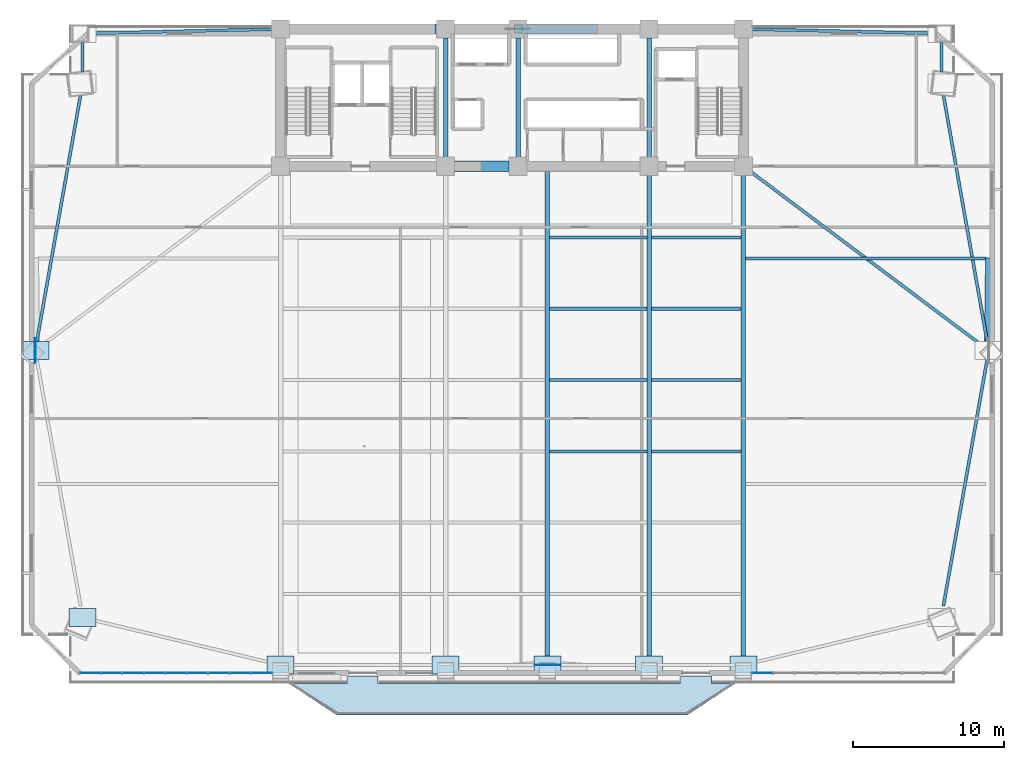
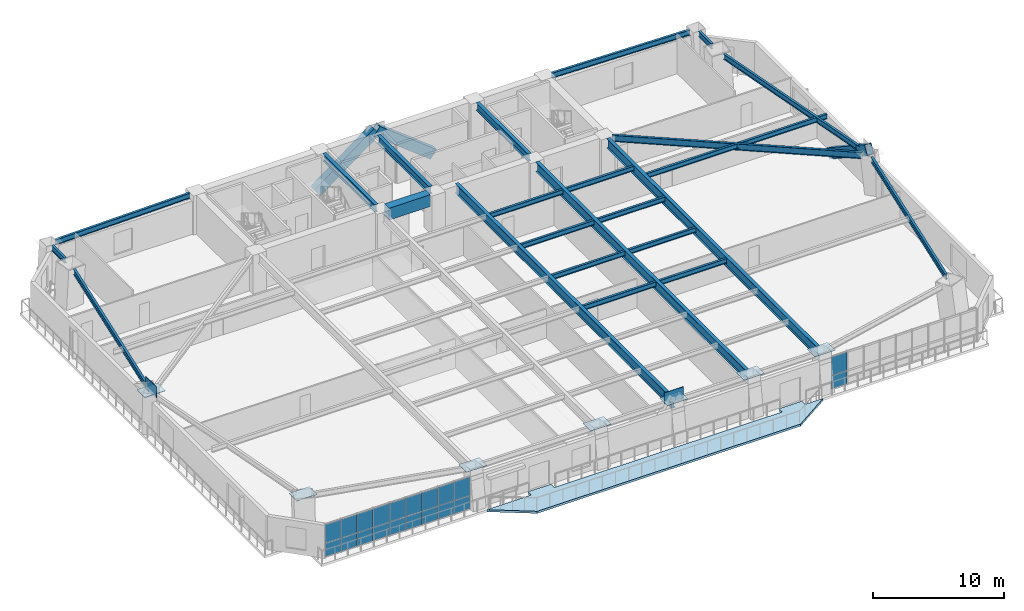
# One storey, part 7 of 17: 29 plates, 24 beams, 3 members, 1 slab, 2 elements without a shape of their own.
"""IFC4 building model written with IfcOpenShell, lengths in metres."""

from ifc_helpers import new_model, si_unit, direction, frame, origin, origin_2d, place, context, subcontext, project, spatial, polyline, rectangle, hollow_rectangle, i_section, outline, extrude, source, transform, mapped, material, layer, layer_set, material_profile, profile_set, type_object, element, aggregate, save


model = new_model("IFC4")

# Units and contexts
model_context = context("Model", 3, precision=1e-05, world=origin(), true_north=direction((0.0, 1.0)))
body_context = subcontext(model_context, "Body", "Model", "MODEL_VIEW")
ifc_project = project(units=[si_unit("LENGTHUNIT", "METRE"), si_unit("AREAUNIT", "SQUARE_METRE"), si_unit("VOLUMEUNIT", "CUBIC_METRE"), si_unit("PLANEANGLEUNIT", "RADIAN"), si_unit("MASSUNIT", "GRAM", prefix="KILO")], contexts=[model_context])

# Site, building, storey
site_placement = place(None, origin())
site = spatial("IfcSite", under=ifc_project, at=site_placement, CompositionType="ELEMENT")
building_placement = place(site_placement, origin())
building = spatial("IfcBuilding", under=site, at=building_placement, Name="Giltprow Tower", CompositionType="ELEMENT")
storey_placement = place(building_placement, frame((0.0, 0.0, 44.89990234375)))
storey = spatial("IfcBuildingStorey", under=building, at=storey_placement, Name="L11", CompositionType="ELEMENT", Elevation=44.89990234375)

# Beams
ifc_material_1 = material(Name="Concrete C60", Category="concrete")
ifc_material_profile_1 = material_profile(ifc_material_1, rectangle(XDim=0.699951171875, YDim=1.10009765625, at=origin_2d()), Name="RC 1100x700")
ifc_profile_set_1 = profile_set([ifc_material_profile_1], Name="Concrete C60")
beam_type_1 = type_object("IfcBeamType", Name="BM-CPL-RC1100", PredefinedType="LINTEL", material=ifc_profile_set_1)
shared_shape_1 = source(origin(), body_context, "Body", "SweptSolid", [
    extrude(rectangle(XDim=0.699951171875, YDim=1.10009765625, at=origin_2d()), origin(), (0.0, 0.0, 1.0), 3.6298828125),
])
beam_1_placement = place(storey_placement, frame((31.385009765625, 37.449951171875, 3.070068359375), z_axis=(1.0, 0.0, 0.0), x_axis=(0.0, 1.0, 0.0)))
element("IfcBeam", 1, at=beam_1_placement, inside=storey, type_object=beam_type_1, Name="L11 Core Coupling Beam CB-1", PredefinedType="LINTEL", context=body_context, shape_type="MappedRepresentation", body=[
    mapped(shared_shape_1, transform((0.0, 0.0, 0.0), x_axis=(1.0, 0.0, 0.0), y_axis=(0.0, 1.0, 0.0), z_axis=(0.0, 0.0, 1.0), scale=1.0)),
])
ifc_material_2 = material(Name="Structural steel Q355B", Category="steel")
ifc_material_profile_2 = material_profile(ifc_material_2, i_section(OverallWidth=0.300048828125, OverallDepth=0.699951171875, WebThickness=0.012939453125, FlangeThickness=0.02392578125, at=origin_2d()), Name="HN 700x300x13x24")
ifc_profile_set_2 = profile_set([ifc_material_profile_2], Name="Structural steel Q355B")
beam_type_2 = type_object("IfcBeamType", Name="BM-GIRD-HN700", PredefinedType="BEAM", material=ifc_profile_set_2)
shared_shape_2 = source(origin(), body_context, "Body", "SweptSolid", [
    extrude(i_section(OverallWidth=0.300048828125, OverallDepth=0.699951171875, WebThickness=0.012939453125, FlangeThickness=0.02392578125, at=origin_2d()), origin(), (0.0, 0.0, 1.0), 7.93017578125),
])
for number, where, z_axis, x_axis, name in (
    (2, (30.800048828125, 38.034912109375, 3.27001953125), (0.0, 1.0, 0.0), (-1.0, 0.0, 0.0), "L11 Core Tie Girder M1"),
    (3, (35.60009765625, 38.034912109375, 3.27001953125), (0.0, 1.0, 0.0), (-1.0, 0.0, 0.0), "L11 Core Tie Girder M2"),
    (4, (44.300048828125, 38.034912109375, 3.27001953125), (0.0, 1.0, 0.0), (-1.0, 0.0, 0.0), "L11 Core Tie Girder M3"),
):
    element("IfcBeam", number, at=place(storey_placement, frame(where, z_axis=z_axis, x_axis=x_axis)), inside=storey, type_object=beam_type_2, Name=name, PredefinedType="BEAM", context=body_context, shape_type="MappedRepresentation", body=[
        mapped(shared_shape_2, transform((0.0, 0.0, 0.0), x_axis=(1.0, 0.0, 0.0), y_axis=(0.0, 1.0, 0.0), z_axis=(0.0, 0.0, 1.0), scale=1.0)),
    ])
ifc_material_profile_3 = material_profile(ifc_material_2, i_section(OverallWidth=0.199951171875, OverallDepth=0.449951171875, WebThickness=0.009033203125, FlangeThickness=0.013916015625, at=origin_2d()), Name="HN 450x200x9x14")
ifc_profile_set_3 = profile_set([ifc_material_profile_3], Name="Structural steel Q355B")
beam_type_3 = type_object("IfcBeamType", Name="BM-JOIST-HN450", PredefinedType="JOIST", material=ifc_profile_set_3)
shared_shape_3 = source(origin(), body_context, "Body", "SweptSolid", [
    extrude(i_section(OverallWidth=0.199951171875, OverallDepth=0.449951171875, WebThickness=0.009033203125, FlangeThickness=0.013916015625, at=origin_2d()), origin(), (0.0, 0.0, 1.0), 6.4599609375),
])
for number, where, z_axis, x_axis, name in (
    (5, (37.695068359375, 18.5380859375, 3.39501953125), (1.0, 0.0, 0.0), (0.0, 1.0, 0.0), "L11 Composite Floor Joist 3-3"),
    (6, (37.695068359375, 23.26611328125, 3.39501953125), (1.0, 0.0, 0.0), (0.0, 1.0, 0.0), "L11 Composite Floor Joist 4-3"),
    (7, (37.695068359375, 27.993896484375, 3.39501953125), (1.0, 0.0, 0.0), (0.0, 1.0, 0.0), "L11 Composite Floor Joist 5-3"),
    (8, (37.695068359375, 32.721923828125, 3.39501953125), (1.0, 0.0, 0.0), (0.0, 1.0, 0.0), "L11 Composite Floor Joist 6-3"),
):
    element("IfcBeam", number, at=place(storey_placement, frame(where, z_axis=z_axis, x_axis=x_axis)), inside=storey, type_object=beam_type_3, Name=name, PredefinedType="JOIST", context=body_context, shape_type="MappedRepresentation", body=[
        mapped(shared_shape_3, transform((0.0, 0.0, 0.0), x_axis=(1.0, 0.0, 0.0), y_axis=(0.0, 1.0, 0.0), z_axis=(0.0, 0.0, 1.0), scale=1.0)),
    ])
shared_shape_4 = source(origin(), body_context, "Body", "SweptSolid", [
    extrude(i_section(OverallWidth=0.199951171875, OverallDepth=0.449951171875, WebThickness=0.009033203125, FlangeThickness=0.013916015625, at=origin_2d()), origin(), (0.0, 0.0, 1.0), 5.9599609375),
])
for number, where, z_axis, x_axis, name in (
    (9, (44.445068359375, 18.5380859375, 3.39501953125), (1.0, 0.0, 0.0), (0.0, 1.0, 0.0), "L11 Composite Floor Joist 3-4"),
    (10, (44.445068359375, 23.26611328125, 3.39501953125), (1.0, 0.0, 0.0), (0.0, 1.0, 0.0), "L11 Composite Floor Joist 4-4"),
    (11, (44.445068359375, 27.993896484375, 3.39501953125), (1.0, 0.0, 0.0), (0.0, 1.0, 0.0), "L11 Composite Floor Joist 5-4"),
    (12, (44.445068359375, 32.721923828125, 3.39501953125), (1.0, 0.0, 0.0), (0.0, 1.0, 0.0), "L11 Composite Floor Joist 6-4"),
):
    element("IfcBeam", number, at=place(storey_placement, frame(where, z_axis=z_axis, x_axis=x_axis)), inside=storey, type_object=beam_type_3, Name=name, PredefinedType="JOIST", context=body_context, shape_type="MappedRepresentation", body=[
        mapped(shared_shape_4, transform((0.0, 0.0, 0.0), x_axis=(1.0, 0.0, 0.0), y_axis=(0.0, 1.0, 0.0), z_axis=(0.0, 0.0, 1.0), scale=1.0)),
    ])
ifc_material_profile_4 = material_profile(ifc_material_2, i_section(OverallWidth=0.199951171875, OverallDepth=0.5, WebThickness=0.010009765625, FlangeThickness=0.01611328125, at=origin_2d()), Name="HN 500x200x10x16")
ifc_profile_set_4 = profile_set([ifc_material_profile_4], Name="Structural steel Q355B")
beam_type_4 = type_object("IfcBeamType", Name="BM-SPAN-HN500", PredefinedType="SPANDREL", material=ifc_profile_set_4)
shared_shape_5 = source(origin(), body_context, "Body", "SweptSolid", [
    extrude(i_section(OverallWidth=0.199951171875, OverallDepth=0.5, WebThickness=0.010009765625, FlangeThickness=0.01611328125, at=origin_2d()), origin(), (0.0, 0.0, 1.0), 16.68212890625),
])
for number, where, z_axis, x_axis, name in (
    (13, (63.819091796875, 8.27490234375, 3.3701171875), (0.174858049152, 0.984593653568, 0.0), (-0.984593653568, 0.174858049152, 0.0), "L11 Perimeter Spandrel Beam MC_SE-E_MID"),
    (14, (66.736083984375, 25.75390625, 3.3701171875), (-0.174858049152, 0.984593653568, 0.0), (-0.984593653568, -0.174858049152, 0.0), "L11 Perimeter Spandrel Beam E_MID-MC_NE"),
    (15, (6.5810546875, 42.178955078125, 3.3701171875), (-0.174858049152, -0.984593653568, 0.0), (0.984593653568, -0.174858049152, 0.0), "L11 Perimeter Spandrel Beam MC_NW-W_MID"),
):
    element("IfcBeam", number, at=place(storey_placement, frame(where, z_axis=z_axis, x_axis=x_axis)), inside=storey, type_object=beam_type_4, Name=name, PredefinedType="SPANDREL", context=body_context, shape_type="MappedRepresentation", body=[
        mapped(shared_shape_5, transform((0.0, 0.0, 0.0), x_axis=(1.0, 0.0, 0.0), y_axis=(0.0, 1.0, 0.0), z_axis=(0.0, 0.0, 1.0), scale=1.0)),
    ])
shared_shape_6 = source(origin(), body_context, "Body", "SweptSolid", [
    extrude(i_section(OverallWidth=0.199951171875, OverallDepth=0.5, WebThickness=0.010009765625, FlangeThickness=0.01611328125, at=origin_2d()), origin(), (0.0, 0.0, 1.0), 1.97802734375),
])
for number, where, z_axis, x_axis, name in (
    (16, (63.681884765625, 43.737060546875, 3.3701171875), (0.0, 1.0, 0.0), (-1.0, 0.0, 0.0), "L11 Perimeter Spandrel Beam MC_NE-N_E"),
    (17, (6.718017578125, 45.715087890625, 3.3701171875), (0.0, -1.0, 0.0), (1.0, 0.0, 0.0), "L11 Perimeter Spandrel Beam N_W-MC_NW"),
):
    element("IfcBeam", number, at=place(storey_placement, frame(where, z_axis=z_axis, x_axis=x_axis)), inside=storey, type_object=beam_type_4, Name=name, PredefinedType="SPANDREL", context=body_context, shape_type="MappedRepresentation", body=[
        mapped(shared_shape_6, transform((0.0, 0.0, 0.0), x_axis=(1.0, 0.0, 0.0), y_axis=(0.0, 1.0, 0.0), z_axis=(0.0, 0.0, 1.0), scale=1.0)),
    ])
shared_shape_7 = source(origin(), body_context, "Body", "SweptSolid", [
    extrude(i_section(OverallWidth=0.199951171875, OverallDepth=0.5, WebThickness=0.010009765625, FlangeThickness=0.01611328125, at=origin_2d()), origin(), (0.0, 0.0, 1.0), 12.01513671875),
])
for number, where, z_axis, x_axis, name in (
    (18, (7.2529296875, 46.261962890625, 3.3701171875), (0.999737759891, 0.022900031613, 0.0), (-0.022900031613, 0.999737759891, 0.0), "L11 North Wing Spandrel W"),
    (19, (51.135009765625, 46.537109375, 3.3701171875), (0.999737759891, -0.022900031613, 0.0), (0.022900031613, 0.999737759891, 0.0), "L11 North Wing Spandrel E"),
):
    element("IfcBeam", number, at=place(storey_placement, frame(where, z_axis=z_axis, x_axis=x_axis)), inside=storey, type_object=beam_type_4, Name=name, PredefinedType="SPANDREL", context=body_context, shape_type="MappedRepresentation", body=[
        mapped(shared_shape_7, transform((0.0, 0.0, 0.0), x_axis=(1.0, 0.0, 0.0), y_axis=(0.0, 1.0, 0.0), z_axis=(0.0, 0.0, 1.0), scale=1.0)),
    ])
ifc_material_profile_5 = material_profile(ifc_material_2, i_section(OverallWidth=0.300048828125, OverallDepth=0.89990234375, WebThickness=0.01611328125, FlangeThickness=0.028076171875, at=origin_2d()), Name="HN 900x300x16x28")
ifc_profile_set_5 = profile_set([ifc_material_profile_5], Name="Structural steel Q355B")
beam_type_5 = type_object("IfcBeamType", Name="BM-GIRD-HN900", PredefinedType="BEAM", material=ifc_profile_set_5)
shared_shape_8 = source(origin(), body_context, "Body", "SweptSolid", [
    extrude(i_section(OverallWidth=0.300048828125, OverallDepth=0.89990234375, WebThickness=0.01611328125, FlangeThickness=0.028076171875, at=origin_2d()), origin(), (0.0, 0.0, 1.0), 31.97607421875),
])
for number, where, z_axis, x_axis, name in (
    (20, (44.300048828125, 4.888916015625, 3.170166015625), (0.0, 1.0, 0.0), (-1.0, 0.0, 0.0), "L11 Primary Lease Girder S3"),
    (21, (50.550048828125, 4.888916015625, 3.170166015625), (0.0, 1.0, 0.0), (-1.0, 0.0, 0.0), "L11 Primary Lease Girder S4"),
):
    element("IfcBeam", number, at=place(storey_placement, frame(where, z_axis=z_axis, x_axis=x_axis)), inside=storey, type_object=beam_type_5, Name=name, PredefinedType="BEAM", context=body_context, shape_type="MappedRepresentation", body=[
        mapped(shared_shape_8, transform((0.0, 0.0, 0.0), x_axis=(1.0, 0.0, 0.0), y_axis=(0.0, 1.0, 0.0), z_axis=(0.0, 0.0, 1.0), scale=1.0)),
    ])
shared_shape_9 = source(origin(), body_context, "Body", "SweptSolid", [
    extrude(i_section(OverallWidth=0.300048828125, OverallDepth=0.89990234375, WebThickness=0.01611328125, FlangeThickness=0.028076171875, at=origin_2d()), origin(), (0.0, 0.0, 1.0), 33.095947265625),
])
beam_2_placement = place(storey_placement, frame((37.550048828125, 4.35400390625, 3.170166015625), z_axis=(0.0, 1.0, 0.0), x_axis=(-1.0, 0.0, 0.0)))
element("IfcBeam", 22, at=beam_2_placement, inside=storey, type_object=beam_type_5, Name="L11 Central Lease Girder SMID", PredefinedType="BEAM", context=body_context, shape_type="MappedRepresentation", body=[
    mapped(shared_shape_9, transform((0.0, 0.0, 0.0), x_axis=(1.0, 0.0, 0.0), y_axis=(0.0, 1.0, 0.0), z_axis=(0.0, 0.0, 1.0), scale=1.0)),
])
ifc_material_profile_6 = material_profile(ifc_material_2, i_section(OverallWidth=0.199951171875, OverallDepth=0.60009765625, WebThickness=0.010986328125, FlangeThickness=0.01708984375, at=origin_2d()), Name="HN 600x200x11x17")
ifc_profile_set_6 = profile_set([ifc_material_profile_6], Name="Structural steel Q355B")
beam_type_6 = type_object("IfcBeamType", Name="BM-GIRD-HN600", PredefinedType="BEAM", material=ifc_profile_set_6)
shared_shape_10 = source(origin(), body_context, "Body", "SweptSolid", [
    extrude(i_section(OverallWidth=0.199951171875, OverallDepth=0.60009765625, WebThickness=0.010986328125, FlangeThickness=0.01708984375, at=origin_2d()), origin(), (0.0, 0.0, 1.0), 19.23779296875),
])
beam_3_placement = place(storey_placement, frame((66.402099609375, 25.548095703125, 3.320068359375), z_axis=(-0.799675510247, 0.600432409444, 0.0), x_axis=(-0.600432409444, -0.799675510247, 0.0)))
element("IfcBeam", 23, at=beam_3_placement, inside=storey, type_object=beam_type_6, Name="L11 East Wing Primary Girder", PredefinedType="BEAM", context=body_context, shape_type="MappedRepresentation", body=[
    mapped(shared_shape_10, transform((0.0, 0.0, 0.0), x_axis=(1.0, 0.0, 0.0), y_axis=(0.0, 1.0, 0.0), z_axis=(0.0, 0.0, 1.0), scale=1.0)),
])
shared_shape_11 = source(origin(), body_context, "Body", "SweptSolid", [
    extrude(i_section(OverallWidth=0.199951171875, OverallDepth=0.449951171875, WebThickness=0.009033203125, FlangeThickness=0.013916015625, at=origin_2d()), origin(), (0.0, 0.0, 1.0), 15.9150390625),
])
beam_4_placement = place(storey_placement, frame((50.695068359375, 31.339111328125, 3.39501953125), z_axis=(1.0, 0.0, 0.0), x_axis=(0.0, 1.0, 0.0)))
element("IfcBeam", 24, at=beam_4_placement, inside=storey, type_object=beam_type_3, Name="L11 East Wing Floor Joist 2", PredefinedType="JOIST", context=body_context, shape_type="MappedRepresentation", body=[
    mapped(shared_shape_11, transform((0.0, 0.0, 0.0), x_axis=(1.0, 0.0, 0.0), y_axis=(0.0, 1.0, 0.0), z_axis=(0.0, 0.0, 1.0), scale=1.0)),
])

# Members
ifc_material_3 = material(Name="Structural steel Q420GJC", Category="steel")
ifc_material_profile_7 = material_profile(ifc_material_3, hollow_rectangle(XDim=0.60009765625, YDim=0.89990234375, WallThickness=0.0400390625, at=origin_2d()), Name="RHS 900x600x40")
ifc_profile_set_7 = profile_set([ifc_material_profile_7], Name="Structural steel Q420GJC")
member_type = type_object("IfcMemberType", Name="MBR-MEGA-RHS900", PredefinedType="BRACE", material=ifc_profile_set_7)
shared_shape_12 = source(origin(), body_context, "Body", "SweptSolid", [
    extrude(hollow_rectangle(XDim=0.60009765625, YDim=0.89990234375, WallThickness=0.0400390625, at=origin_2d()), origin(), (0.0, 0.0, 1.0), 6.5400390625),
])
member_1_placement = place(storey_placement, frame((30.35009765625, 46.550048828125, -0.139892578125), z_axis=(0.802750995836, 0.0, 0.596314379068), x_axis=(0.0, 1.0, 0.0)))
element("IfcMember", 25, at=member_1_placement, inside=storey, type_object=member_type, Name="L11 Chevron Mega-Brace N-L", PredefinedType="BRACE", context=body_context, shape_type="MappedRepresentation", body=[
    mapped(shared_shape_12, transform((0.0, 0.0, 0.0), x_axis=(1.0, 0.0, 0.0), y_axis=(0.0, 1.0, 0.0), z_axis=(0.0, 0.0, 1.0), scale=1.0)),
])
shared_shape_13 = source(origin(), body_context, "Body", "SweptSolid", [
    extrude(hollow_rectangle(XDim=0.60009765625, YDim=0.89990234375, WallThickness=0.0400390625, at=origin_2d()), origin(), (0.0, 0.0, 1.0), 6.32763671875),
])
member_2_placement = place(storey_placement, frame((40.5830078125, 46.550048828125, -0.139892578125), z_axis=(-0.787487088571, 0.0, 0.616331149086), x_axis=(0.0, -1.0, 0.0)))
element("IfcMember", 26, at=member_2_placement, inside=storey, type_object=member_type, Name="L11 Chevron Mega-Brace N-R", PredefinedType="BRACE", context=body_context, shape_type="MappedRepresentation", body=[
    mapped(shared_shape_13, transform((0.0, 0.0, 0.0), x_axis=(1.0, 0.0, 0.0), y_axis=(0.0, 1.0, 0.0), z_axis=(0.0, 0.0, 1.0), scale=1.0)),
])
shared_shape_14 = source(origin(), body_context, "Body", "SweptSolid", [
    extrude(hollow_rectangle(XDim=0.60009765625, YDim=0.89990234375, WallThickness=0.0400390625, at=origin_2d()), origin(), (0.0, 0.0, 1.0), 7.072998046875),
])
member_3_placement = place(storey_placement, frame((66.907958984375, 31.126953125, 0.0), z_axis=(-0.0110111481, -0.83415487459, 0.551420347661), x_axis=(0.999912886578, -0.013199214219, 0.0)))
element("IfcMember", 27, at=member_3_placement, inside=storey, type_object=member_type, Name="L11 Chevron Mega-Brace E-R", PredefinedType="BRACE", context=body_context, shape_type="MappedRepresentation", body=[
    mapped(shared_shape_14, transform((0.0, 0.0, 0.0), x_axis=(1.0, 0.0, 0.0), y_axis=(0.0, 1.0, 0.0), z_axis=(0.0, 0.0, 1.0), scale=1.0)),
])

# Slab
ifc_material_4 = material(Name="Concrete C40", Category="concrete")
ifc_layer_1 = layer(ifc_material_4, 0.199951171875, Name="Concrete C40")
ifc_layer_set_1 = layer_set([ifc_layer_1], Name="Concrete C40")
slab_type = type_object("IfcSlabType", Name="SLB-BALC-BRONZE-200", PredefinedType="FLOOR", material=ifc_layer_set_1)
slab_placement = place(storey_placement, frame((0.0, 0.0, -0.199951171875)))
element("IfcSlab", 28, at=slab_placement, inside=storey, type_object=slab_type, Name="L11 Bronze Prow Waterfront Balcony Slab", PredefinedType="FLOOR", context=body_context, shape_type="SweptSolid", body=[
    extrude(outline(polyline([(50.0, 3.126953125), (46.800048828125, 1.027099609375), (23.60009765625, 1.027099609375), (20.39990234375, 3.126953125), (24.280029296875, 3.126953125), (24.280029296875, 3.626953125), (26.320068359375, 3.626953125), (26.320068359375, 3.126953125), (46.3798828125, 3.126953125), (46.3798828125, 3.626953125), (48.419921875, 3.626953125), (48.419921875, 3.126953125), (50.0, 3.126953125)])), origin(), (0.0, 0.0, 1.0), 0.199951171875),
])

# Plates
plate_type_1 = type_object("IfcPlateType", Name="PLT-NODE-CKN1", PredefinedType="USERDEFINED", material=ifc_material_3)
shared_shape_15 = source(origin(), body_context, "Body", "SweptSolid", [
    extrude(rectangle(XDim=1.800048828125, YDim=1.199951171875, at=origin_2d()), origin(), (0.0, 0.0, 1.0), 0.044921875),
])
for number, where, z_axis, x_axis, name in (
    (29, (6.718017578125, 7.501953125, 3.57763671875), (0.0, 0.0, 1.0), (1.0, 0.0, 0.0), "CKN1 Column Taper Splice Node L11-MC_SW"),
    (30, (19.85009765625, 4.35400390625, 3.57763671875), (0.0, 0.0, 1.0), (1.0, 0.0, 0.0), "CKN1 Column Taper Splice Node L11-S1"),
    (31, (30.800048828125, 4.35400390625, 3.57763671875), (0.0, 0.0, 1.0), (1.0, 0.0, 0.0), "CKN1 Column Taper Splice Node L11-S2"),
    (32, (37.550048828125, 4.35400390625, 3.57763671875), (0.0, 0.0, 1.0), (1.0, 0.0, 0.0), "CKN1 Column Taper Splice Node L11-S_MID"),
    (33, (44.300048828125, 4.35400390625, 3.57763671875), (0.0, 0.0, 1.0), (1.0, 0.0, 0.0), "CKN1 Column Taper Splice Node L11-S3"),
    (34, (50.550048828125, 4.35400390625, 3.57763671875), (0.0, 0.0, 1.0), (1.0, 0.0, 0.0), "CKN1 Column Taper Splice Node L11-S4"),
    (35, (3.570068359375, 25.22705078125, 3.57763671875), (0.0, 0.0, 1.0), (1.0, 0.0, 0.0), "CKN1 Column Taper Splice Node L11-W_MID"),
):
    element("IfcPlate", number, at=place(storey_placement, frame(where, z_axis=z_axis, x_axis=x_axis)), inside=storey, type_object=plate_type_1, Name=name, ObjectType="SPLICE", PredefinedType="USERDEFINED", context=body_context, shape_type="MappedRepresentation", body=[
        mapped(shared_shape_15, transform((0.0, 0.0, 0.0), x_axis=(1.0, 0.0, 0.0), y_axis=(0.0, 1.0, 0.0), z_axis=(0.0, 0.0, 1.0), scale=1.0)),
    ])
plate_type_2 = type_object("IfcPlateType", Name="PLT-NODE-MBN2", PredefinedType="USERDEFINED", material=ifc_material_3)
shared_shape_16 = source(origin(), body_context, "Body", "SweptSolid", [
    extrude(rectangle(XDim=1.64990234375, YDim=0.044921875, at=origin_2d()), origin(), (0.0, 0.0, 1.0), 1.050048828125),
])
for number, where, z_axis, x_axis, name in (
    (36, (37.550048828125, 4.35400390625, 3.375), (0.0, 0.0, 1.0), (1.0, 0.0, 0.0), "Mega-Brace Node L11-S-LB"),
    (37, (3.570068359375, 25.22705078125, 3.375), (0.0, 0.0, 1.0), (0.0, 1.0, 0.0), "Mega-Brace Node L11-W-RB"),
):
    element("IfcPlate", number, at=place(storey_placement, frame(where, z_axis=z_axis, x_axis=x_axis)), inside=storey, type_object=plate_type_2, Name=name, ObjectType="GUSSET", PredefinedType="USERDEFINED", context=body_context, shape_type="MappedRepresentation", body=[
        mapped(shared_shape_16, transform((0.0, 0.0, 0.0), x_axis=(1.0, 0.0, 0.0), y_axis=(0.0, 1.0, 0.0), z_axis=(0.0, 0.0, 1.0), scale=1.0)),
    ])

# Curtain wall, plates
ifc_material_5 = material(Name="Anodized bronze", Category="metal")
ifc_layer_2 = layer(ifc_material_5, 0.179931640625, Name="Anodized bronze")
ifc_layer_set_2 = layer_set([ifc_layer_2], Name="Anodized bronze")
curtain_wall_type = type_object("IfcCurtainWallType", Name="CW-OFF-RECESSED", PredefinedType="NOTDEFINED", material=ifc_layer_set_2)
curtain_wall_1_placement = place(storey_placement, origin())
curtain_wall_1 = element("IfcCurtainWall", 38, at=curtain_wall_1_placement, inside=storey, type_object=curtain_wall_type, Name="L11 South Recessed Curtain Wall 1", PredefinedType="NOTDEFINED")
ifc_material_6 = material(Name="Insulated glass", Category="glass")
plate_type_3 = type_object("IfcPlateType", Name="CW-PANEL-IGU-28", PredefinedType="CURTAIN_PANEL", material=ifc_material_6)
shared_shape_17 = source(origin(), body_context, "Body", "SweptSolid", [
    extrude(rectangle(XDim=1.39111328125, YDim=0.028076171875, at=origin_2d()), origin(), (0.0, 0.0, 1.0), 1.23388671875),
])
plate_1_placement = place(storey_placement, frame((7.219970703125, 3.826904296875, 0.05419921875), z_axis=(0.0, 0.0, 1.0), x_axis=(1.0, 0.0, 0.0)))
plate_1 = element("IfcPlate", 39, at=plate_1_placement, type_object=plate_type_3, Name="L11 South Recessed Curtain Wall 1 Glazing Panel 1-1", PredefinedType="CURTAIN_PANEL", context=body_context, shape_type="MappedRepresentation", body=[
    mapped(shared_shape_17, transform((0.0, 0.0, 0.0), x_axis=(1.0, 0.0, 0.0), y_axis=(0.0, 1.0, 0.0), z_axis=(0.0, 0.0, 1.0), scale=1.0)),
])
plate_2_placement = place(storey_placement, frame((8.64111328125, 3.826904296875, 0.05419921875), z_axis=(0.0, 0.0, 1.0), x_axis=(1.0, 0.0, 0.0)))
plate_2 = element("IfcPlate", 40, at=plate_2_placement, type_object=plate_type_3, Name="L11 South Recessed Curtain Wall 1 Glazing Panel 2-1", PredefinedType="CURTAIN_PANEL", context=body_context, shape_type="MappedRepresentation", body=[
    mapped(shared_shape_17, transform((0.0, 0.0, 0.0), x_axis=(1.0, 0.0, 0.0), y_axis=(0.0, 1.0, 0.0), z_axis=(0.0, 0.0, 1.0), scale=1.0)),
])
plate_3_placement = place(storey_placement, frame((10.06201171875, 3.826904296875, 0.05419921875), z_axis=(0.0, 0.0, 1.0), x_axis=(1.0, 0.0, 0.0)))
plate_3 = element("IfcPlate", 41, at=plate_3_placement, type_object=plate_type_3, Name="L11 South Recessed Curtain Wall 1 Glazing Panel 3-1", PredefinedType="CURTAIN_PANEL", context=body_context, shape_type="MappedRepresentation", body=[
    mapped(shared_shape_17, transform((0.0, 0.0, 0.0), x_axis=(1.0, 0.0, 0.0), y_axis=(0.0, 1.0, 0.0), z_axis=(0.0, 0.0, 1.0), scale=1.0)),
])
plate_4_placement = place(storey_placement, frame((11.48291015625, 3.826904296875, 0.05419921875), z_axis=(0.0, 0.0, 1.0), x_axis=(1.0, 0.0, 0.0)))
plate_4 = element("IfcPlate", 42, at=plate_4_placement, type_object=plate_type_3, Name="L11 South Recessed Curtain Wall 1 Glazing Panel 4-1", PredefinedType="CURTAIN_PANEL", context=body_context, shape_type="MappedRepresentation", body=[
    mapped(shared_shape_17, transform((0.0, 0.0, 0.0), x_axis=(1.0, 0.0, 0.0), y_axis=(0.0, 1.0, 0.0), z_axis=(0.0, 0.0, 1.0), scale=1.0)),
])
plate_5_placement = place(storey_placement, frame((12.905029296875, 3.826904296875, 0.05419921875), z_axis=(0.0, 0.0, 1.0), x_axis=(1.0, 0.0, 0.0)))
plate_5 = element("IfcPlate", 43, at=plate_5_placement, type_object=plate_type_3, Name="L11 South Recessed Curtain Wall 1 Glazing Panel 5-1", PredefinedType="CURTAIN_PANEL", context=body_context, shape_type="MappedRepresentation", body=[
    mapped(shared_shape_17, transform((0.0, 0.0, 0.0), x_axis=(1.0, 0.0, 0.0), y_axis=(0.0, 1.0, 0.0), z_axis=(0.0, 0.0, 1.0), scale=1.0)),
])
plate_6_placement = place(storey_placement, frame((14.325927734375, 3.826904296875, 0.05419921875), z_axis=(0.0, 0.0, 1.0), x_axis=(1.0, 0.0, 0.0)))
plate_6 = element("IfcPlate", 44, at=plate_6_placement, type_object=plate_type_3, Name="L11 South Recessed Curtain Wall 1 Glazing Panel 6-1", PredefinedType="CURTAIN_PANEL", context=body_context, shape_type="MappedRepresentation", body=[
    mapped(shared_shape_17, transform((0.0, 0.0, 0.0), x_axis=(1.0, 0.0, 0.0), y_axis=(0.0, 1.0, 0.0), z_axis=(0.0, 0.0, 1.0), scale=1.0)),
])
plate_7_placement = place(storey_placement, frame((15.7470703125, 3.826904296875, 0.05419921875), z_axis=(0.0, 0.0, 1.0), x_axis=(1.0, 0.0, 0.0)))
plate_7 = element("IfcPlate", 45, at=plate_7_placement, type_object=plate_type_3, Name="L11 South Recessed Curtain Wall 1 Glazing Panel 7-1", PredefinedType="CURTAIN_PANEL", context=body_context, shape_type="MappedRepresentation", body=[
    mapped(shared_shape_17, transform((0.0, 0.0, 0.0), x_axis=(1.0, 0.0, 0.0), y_axis=(0.0, 1.0, 0.0), z_axis=(0.0, 0.0, 1.0), scale=1.0)),
])
plate_8_placement = place(storey_placement, frame((17.16796875, 3.826904296875, 0.05419921875), z_axis=(0.0, 0.0, 1.0), x_axis=(1.0, 0.0, 0.0)))
plate_8 = element("IfcPlate", 46, at=plate_8_placement, type_object=plate_type_3, Name="L11 South Recessed Curtain Wall 1 Glazing Panel 8-1", PredefinedType="CURTAIN_PANEL", context=body_context, shape_type="MappedRepresentation", body=[
    mapped(shared_shape_17, transform((0.0, 0.0, 0.0), x_axis=(1.0, 0.0, 0.0), y_axis=(0.0, 1.0, 0.0), z_axis=(0.0, 0.0, 1.0), scale=1.0)),
])
plate_9_placement = place(storey_placement, frame((18.589111328125, 3.826904296875, 0.05419921875), z_axis=(0.0, 0.0, 1.0), x_axis=(1.0, 0.0, 0.0)))
plate_9 = element("IfcPlate", 47, at=plate_9_placement, type_object=plate_type_3, Name="L11 South Recessed Curtain Wall 1 Glazing Panel 9-1", PredefinedType="CURTAIN_PANEL", context=body_context, shape_type="MappedRepresentation", body=[
    mapped(shared_shape_17, transform((0.0, 0.0, 0.0), x_axis=(1.0, 0.0, 0.0), y_axis=(0.0, 1.0, 0.0), z_axis=(0.0, 0.0, 1.0), scale=1.0)),
])

# Curtain wall, plate
curtain_wall_2_placement = place(storey_placement, origin())
curtain_wall_2 = element("IfcCurtainWall", 48, at=curtain_wall_2_placement, inside=storey, type_object=curtain_wall_type, Name="L11 South Recessed Curtain Wall 6", PredefinedType="NOTDEFINED")
plate_10_placement = place(storey_placement, frame((51.81103515625, 3.826904296875, 0.05419921875), z_axis=(0.0, 0.0, 1.0), x_axis=(1.0, 0.0, 0.0)))
plate_10 = element("IfcPlate", 49, at=plate_10_placement, type_object=plate_type_3, Name="L11 South Recessed Curtain Wall 6 Glazing Panel 1-1", PredefinedType="CURTAIN_PANEL", context=body_context, shape_type="MappedRepresentation", body=[
    mapped(shared_shape_17, transform((0.0, 0.0, 0.0), x_axis=(1.0, 0.0, 0.0), y_axis=(0.0, 1.0, 0.0), z_axis=(0.0, 0.0, 1.0), scale=1.0)),
])

# Plate
shared_shape_18 = source(origin(), body_context, "Body", "SweptSolid", [
    extrude(rectangle(XDim=1.39111328125, YDim=0.028076171875, at=origin_2d()), origin(), (0.0, 0.0, 1.0), 1.72998046875),
])
plate_11_placement = place(storey_placement, frame((7.219970703125, 3.826904296875, 1.316162109375), z_axis=(0.0, 0.0, 1.0), x_axis=(1.0, 0.0, 0.0)))
plate_11 = element("IfcPlate", 50, at=plate_11_placement, type_object=plate_type_3, Name="L11 South Recessed Curtain Wall 1 Glazing Panel 1-2", PredefinedType="CURTAIN_PANEL", context=body_context, shape_type="MappedRepresentation", body=[
    mapped(shared_shape_18, transform((0.0, 0.0, 0.0), x_axis=(1.0, 0.0, 0.0), y_axis=(0.0, 1.0, 0.0), z_axis=(0.0, 0.0, 1.0), scale=1.0)),
])

plate_12_placement = place(storey_placement, frame((8.64111328125, 3.826904296875, 1.316162109375), z_axis=(0.0, 0.0, 1.0), x_axis=(1.0, 0.0, 0.0)))
plate_12 = element("IfcPlate", 51, at=plate_12_placement, type_object=plate_type_3, Name="L11 South Recessed Curtain Wall 1 Glazing Panel 2-2", PredefinedType="CURTAIN_PANEL", context=body_context, shape_type="MappedRepresentation", body=[
    mapped(shared_shape_18, transform((0.0, 0.0, 0.0), x_axis=(1.0, 0.0, 0.0), y_axis=(0.0, 1.0, 0.0), z_axis=(0.0, 0.0, 1.0), scale=1.0)),
])

plate_13_placement = place(storey_placement, frame((10.06201171875, 3.826904296875, 1.316162109375), z_axis=(0.0, 0.0, 1.0), x_axis=(1.0, 0.0, 0.0)))
plate_13 = element("IfcPlate", 52, at=plate_13_placement, type_object=plate_type_3, Name="L11 South Recessed Curtain Wall 1 Glazing Panel 3-2", PredefinedType="CURTAIN_PANEL", context=body_context, shape_type="MappedRepresentation", body=[
    mapped(shared_shape_18, transform((0.0, 0.0, 0.0), x_axis=(1.0, 0.0, 0.0), y_axis=(0.0, 1.0, 0.0), z_axis=(0.0, 0.0, 1.0), scale=1.0)),
])

plate_14_placement = place(storey_placement, frame((11.48291015625, 3.826904296875, 1.316162109375), z_axis=(0.0, 0.0, 1.0), x_axis=(1.0, 0.0, 0.0)))
plate_14 = element("IfcPlate", 53, at=plate_14_placement, type_object=plate_type_3, Name="L11 South Recessed Curtain Wall 1 Glazing Panel 4-2", PredefinedType="CURTAIN_PANEL", context=body_context, shape_type="MappedRepresentation", body=[
    mapped(shared_shape_18, transform((0.0, 0.0, 0.0), x_axis=(1.0, 0.0, 0.0), y_axis=(0.0, 1.0, 0.0), z_axis=(0.0, 0.0, 1.0), scale=1.0)),
])

plate_15_placement = place(storey_placement, frame((12.905029296875, 3.826904296875, 1.316162109375), z_axis=(0.0, 0.0, 1.0), x_axis=(1.0, 0.0, 0.0)))
plate_15 = element("IfcPlate", 54, at=plate_15_placement, type_object=plate_type_3, Name="L11 South Recessed Curtain Wall 1 Glazing Panel 5-2", PredefinedType="CURTAIN_PANEL", context=body_context, shape_type="MappedRepresentation", body=[
    mapped(shared_shape_18, transform((0.0, 0.0, 0.0), x_axis=(1.0, 0.0, 0.0), y_axis=(0.0, 1.0, 0.0), z_axis=(0.0, 0.0, 1.0), scale=1.0)),
])

plate_16_placement = place(storey_placement, frame((14.325927734375, 3.826904296875, 1.316162109375), z_axis=(0.0, 0.0, 1.0), x_axis=(1.0, 0.0, 0.0)))
plate_16 = element("IfcPlate", 55, at=plate_16_placement, type_object=plate_type_3, Name="L11 South Recessed Curtain Wall 1 Glazing Panel 6-2", PredefinedType="CURTAIN_PANEL", context=body_context, shape_type="MappedRepresentation", body=[
    mapped(shared_shape_18, transform((0.0, 0.0, 0.0), x_axis=(1.0, 0.0, 0.0), y_axis=(0.0, 1.0, 0.0), z_axis=(0.0, 0.0, 1.0), scale=1.0)),
])

plate_17_placement = place(storey_placement, frame((15.7470703125, 3.826904296875, 1.316162109375), z_axis=(0.0, 0.0, 1.0), x_axis=(1.0, 0.0, 0.0)))
plate_17 = element("IfcPlate", 56, at=plate_17_placement, type_object=plate_type_3, Name="L11 South Recessed Curtain Wall 1 Glazing Panel 7-2", PredefinedType="CURTAIN_PANEL", context=body_context, shape_type="MappedRepresentation", body=[
    mapped(shared_shape_18, transform((0.0, 0.0, 0.0), x_axis=(1.0, 0.0, 0.0), y_axis=(0.0, 1.0, 0.0), z_axis=(0.0, 0.0, 1.0), scale=1.0)),
])

plate_18_placement = place(storey_placement, frame((17.16796875, 3.826904296875, 1.316162109375), z_axis=(0.0, 0.0, 1.0), x_axis=(1.0, 0.0, 0.0)))
plate_18 = element("IfcPlate", 57, at=plate_18_placement, type_object=plate_type_3, Name="L11 South Recessed Curtain Wall 1 Glazing Panel 8-2", PredefinedType="CURTAIN_PANEL", context=body_context, shape_type="MappedRepresentation", body=[
    mapped(shared_shape_18, transform((0.0, 0.0, 0.0), x_axis=(1.0, 0.0, 0.0), y_axis=(0.0, 1.0, 0.0), z_axis=(0.0, 0.0, 1.0), scale=1.0)),
])

plate_19_placement = place(storey_placement, frame((18.589111328125, 3.826904296875, 1.316162109375), z_axis=(0.0, 0.0, 1.0), x_axis=(1.0, 0.0, 0.0)))
plate_19 = element("IfcPlate", 58, at=plate_19_placement, type_object=plate_type_3, Name="L11 South Recessed Curtain Wall 1 Glazing Panel 9-2", PredefinedType="CURTAIN_PANEL", context=body_context, shape_type="MappedRepresentation", body=[
    mapped(shared_shape_18, transform((0.0, 0.0, 0.0), x_axis=(1.0, 0.0, 0.0), y_axis=(0.0, 1.0, 0.0), z_axis=(0.0, 0.0, 1.0), scale=1.0)),
])

aggregate(curtain_wall_1, [plate_1, plate_11, plate_2, plate_12, plate_3, plate_13, plate_4, plate_14, plate_5, plate_15, plate_6, plate_16, plate_7, plate_17, plate_8, plate_18, plate_9, plate_19])

plate_20_placement = place(storey_placement, frame((51.81103515625, 3.826904296875, 1.316162109375), z_axis=(0.0, 0.0, 1.0), x_axis=(1.0, 0.0, 0.0)))
plate_20 = element("IfcPlate", 59, at=plate_20_placement, type_object=plate_type_3, Name="L11 South Recessed Curtain Wall 6 Glazing Panel 1-2", PredefinedType="CURTAIN_PANEL", context=body_context, shape_type="MappedRepresentation", body=[
    mapped(shared_shape_18, transform((0.0, 0.0, 0.0), x_axis=(1.0, 0.0, 0.0), y_axis=(0.0, 1.0, 0.0), z_axis=(0.0, 0.0, 1.0), scale=1.0)),
])

aggregate(curtain_wall_2, [plate_10, plate_20])

save(model, "model.ifc")
